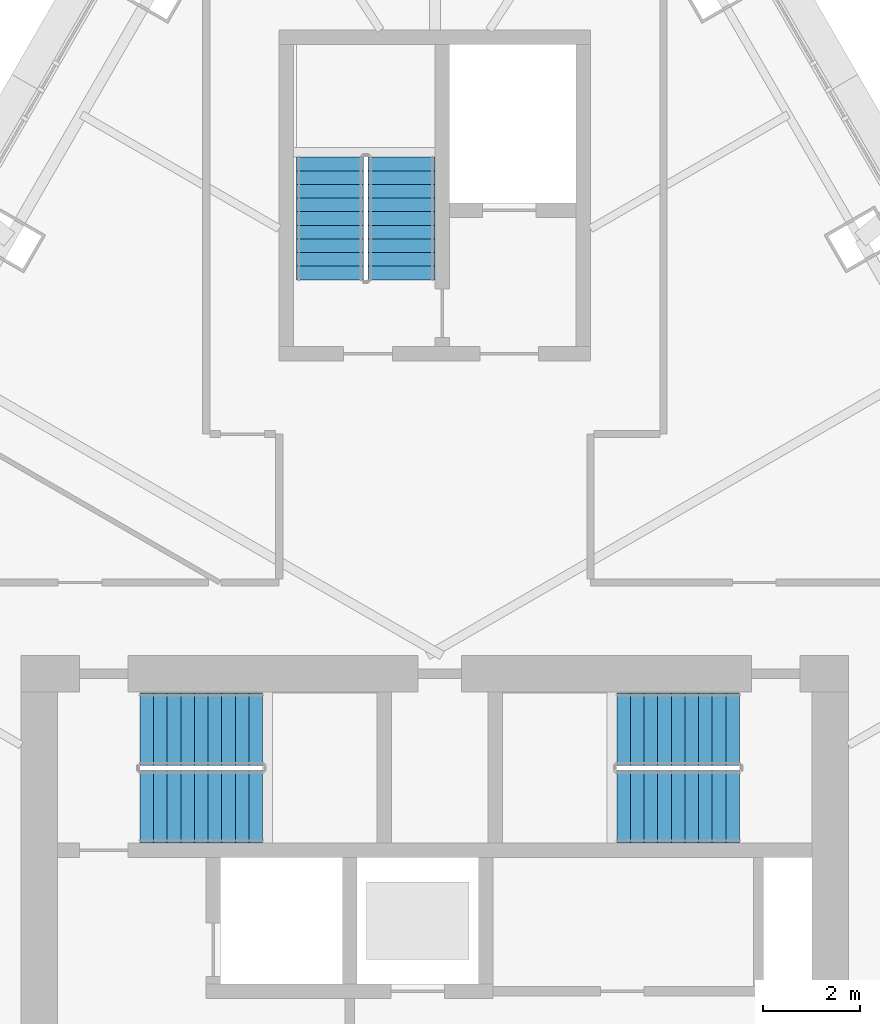
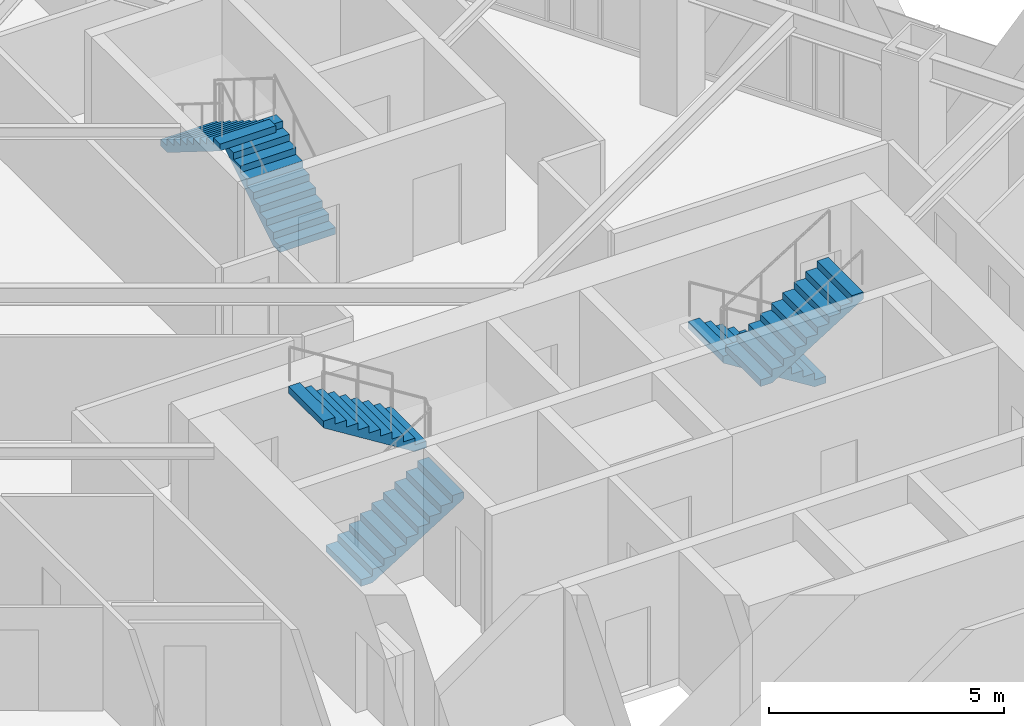
# One storey, part 21 of 23: 6 stair flights, 3 elements without a shape of their own.
"""IFC4 building model written with IfcOpenShell, lengths in metres."""

from ifc_helpers import new_model, si_unit, direction, frame, origin, place, context, subcontext, project, spatial, polyline, outline, extrude, material, type_object, element, aggregate, save


model = new_model("IFC4")

# Units and contexts
model_context = context("Model", 3, precision=1e-05, world=origin(), true_north=direction((0.0, 1.0)))
body_context = subcontext(model_context, "Body", "Model", "MODEL_VIEW")
ifc_project = project(units=[si_unit("LENGTHUNIT", "METRE"), si_unit("AREAUNIT", "SQUARE_METRE"), si_unit("VOLUMEUNIT", "CUBIC_METRE"), si_unit("PLANEANGLEUNIT", "RADIAN"), si_unit("MASSUNIT", "GRAM", prefix="KILO")], contexts=[model_context])

# Site, building, storey
site_placement = place(None, origin())
site = spatial("IfcSite", under=ifc_project, at=site_placement, CompositionType="ELEMENT")
building_placement = place(site_placement, origin())
building = spatial("IfcBuilding", under=site, at=building_placement, Name="Firuza Gate Tower and Library", CompositionType="ELEMENT")
storey_placement = place(building_placement, frame((0.0, 0.0, 312.60009765625)))
storey = spatial("IfcBuildingStorey", under=building, at=storey_placement, Name="L76", CompositionType="ELEMENT", Elevation=312.60009765625)

# Stair, stair flights
ifc_material_1 = material(Name="Concrete C35/45", Category="concrete")
stair_type_1 = type_object("IfcStairType", Name="Exit stair ST17", PredefinedType="HALF_TURN_STAIR", material=ifc_material_1)
placement = place(storey_placement, origin())
stair_1 = element("IfcStair", 1, at=placement, inside=storey, type_object=stair_type_1, Name="L76 Stair ST3", PredefinedType="HALF_TURN_STAIR")
ifc_material_2 = material(Name="Concrete C35/45", Category="concrete")
stair_flight_type_1 = type_object("IfcStairFlightType", Name="Stair flight 10 risers 175 width 1370", PredefinedType="STRAIGHT", material=ifc_material_2)
stair_flight_1_placement = place(storey_placement, frame((74.31494140625, 89.469970703125, 0.0), z_axis=(0.0, 0.0, 1.0), x_axis=(0.0, 1.0, 0.0)))
stair_flight_1 = element("IfcStairFlight", 2, at=stair_flight_1_placement, type_object=stair_flight_type_1, Name="ST3 flight 1", NumberOfRisers=10, NumberOfTreads=9, PredefinedType="STRAIGHT", RiserHeight=0.175, TreadLength=0.28, context=body_context, shape_type="SweptSolid", body=[
    extrude(outline(polyline([(0.0, 0.0), (0.0, 0.175048828125), (0.280029296875, 0.175048828125), (0.280029296875, 0.35009765625), (0.56005859375, 0.35009765625), (0.56005859375, 0.52490234375), (0.840087890625, 0.52490234375), (0.840087890625, 0.699951171875), (1.1201171875, 0.699951171875), (1.1201171875, 0.875), (1.39990234375, 0.875), (1.39990234375, 1.050048828125), (1.679931640625, 1.050048828125), (1.679931640625, 1.22509765625), (1.9599609375, 1.22509765625), (1.9599609375, 1.39990234375), (2.239990234375, 1.39990234375), (2.239990234375, 1.574951171875), (2.52001953125, 1.574951171875), (2.52001953125, 1.75), (2.52001953125, 1.398193359375), (0.28271484375, 0.0), (0.0, 0.0)])), frame((0.0, 0.68505859375, 0.0), z_axis=(0.0, -1.0, 0.0), x_axis=(1.0, 0.0, 0.0)), (0.0, 0.0, 1.0), 1.3701171875),
])
stair_flight_2_placement = place(storey_placement, frame((72.844970703125, 91.989990234375, 1.75), z_axis=(0.0, 0.0, 1.0), x_axis=(0.0, -1.0, 0.0)))
stair_flight_2 = element("IfcStairFlight", 3, at=stair_flight_2_placement, type_object=stair_flight_type_1, Name="ST3 flight 2", NumberOfRisers=10, NumberOfTreads=9, PredefinedType="STRAIGHT", RiserHeight=0.175, TreadLength=0.28, context=body_context, shape_type="SweptSolid", body=[
    extrude(outline(polyline([(0.0, 0.0), (0.0, 0.175048828125), (0.280029296875, 0.175048828125), (0.280029296875, 0.35009765625), (0.56005859375, 0.35009765625), (0.56005859375, 0.52490234375), (0.840087890625, 0.52490234375), (0.840087890625, 0.699951171875), (1.1201171875, 0.699951171875), (1.1201171875, 0.875), (1.39990234375, 0.875), (1.39990234375, 1.050048828125), (1.679931640625, 1.050048828125), (1.679931640625, 1.22509765625), (1.9599609375, 1.22509765625), (1.9599609375, 1.39990234375), (2.239990234375, 1.39990234375), (2.239990234375, 1.574951171875), (2.52001953125, 1.574951171875), (2.52001953125, 1.75), (2.52001953125, 1.398193359375), (0.28271484375, 0.0), (0.0, 0.0)])), frame((0.0, 0.68505859375, 0.0), z_axis=(0.0, -1.0, 0.0), x_axis=(1.0, 0.0, 0.0)), (0.0, 0.0, 1.0), 1.3701171875),
])
aggregate(stair_1, [stair_flight_1, stair_flight_2])

ifc_material_3 = material(Name="Concrete C35/45", Category="concrete")
stair_type_2 = type_object("IfcStairType", Name="Exit stair ST8", PredefinedType="HALF_TURN_STAIR", material=ifc_material_3)
stair_2 = element("IfcStair", 4, at=placement, inside=storey, type_object=stair_type_2, Name="L76 Stair ST1", PredefinedType="HALF_TURN_STAIR")
ifc_material_4 = material(Name="Concrete C35/45", Category="concrete")
stair_flight_type_2 = type_object("IfcStairFlightType", Name="Stair flight 10 risers 175 width 1490", PredefinedType="STRAIGHT", material=ifc_material_4)
stair_flight_3_placement = place(storey_placement, frame((68.93994140625, 78.64501953125, 0.0), z_axis=(0.0, 0.0, 1.0), x_axis=(1.0, 0.0, 0.0)))
stair_flight_3 = element("IfcStairFlight", 5, at=stair_flight_3_placement, type_object=stair_flight_type_2, Name="ST1 flight 1", NumberOfRisers=10, NumberOfTreads=9, PredefinedType="STRAIGHT", RiserHeight=0.175, TreadLength=0.28, context=body_context, shape_type="SweptSolid", body=[
    extrude(outline(polyline([(0.0, 0.0), (0.0, 0.175048828125), (0.280029296875, 0.175048828125), (0.280029296875, 0.35009765625), (0.56005859375, 0.35009765625), (0.56005859375, 0.52490234375), (0.840087890625, 0.52490234375), (0.840087890625, 0.699951171875), (1.1201171875, 0.699951171875), (1.1201171875, 0.875), (1.39990234375, 0.875), (1.39990234375, 1.050048828125), (1.679931640625, 1.050048828125), (1.679931640625, 1.22509765625), (1.9599609375, 1.22509765625), (1.9599609375, 1.39990234375), (2.239990234375, 1.39990234375), (2.239990234375, 1.574951171875), (2.52001953125, 1.574951171875), (2.52001953125, 1.75), (2.52001953125, 1.398193359375), (0.28271484375, 0.0), (0.0, 0.0)])), frame((0.0, 0.7451171875, 0.0), z_axis=(0.0, -1.0, 0.0), x_axis=(1.0, 0.0, 0.0)), (0.0, 0.0, 1.0), 1.489990234375),
])
stair_flight_4_placement = place(storey_placement, frame((71.4599609375, 80.235107421875, 1.75), z_axis=(0.0, 0.0, 1.0), x_axis=(-1.0, 0.0, 0.0)))
stair_flight_4 = element("IfcStairFlight", 6, at=stair_flight_4_placement, type_object=stair_flight_type_2, Name="ST1 flight 2", NumberOfRisers=10, NumberOfTreads=9, PredefinedType="STRAIGHT", RiserHeight=0.175, TreadLength=0.28, context=body_context, shape_type="SweptSolid", body=[
    extrude(outline(polyline([(0.0, 0.0), (0.0, 0.175048828125), (0.280029296875, 0.175048828125), (0.280029296875, 0.35009765625), (0.56005859375, 0.35009765625), (0.56005859375, 0.52490234375), (0.840087890625, 0.52490234375), (0.840087890625, 0.699951171875), (1.1201171875, 0.699951171875), (1.1201171875, 0.875), (1.39990234375, 0.875), (1.39990234375, 1.050048828125), (1.679931640625, 1.050048828125), (1.679931640625, 1.22509765625), (1.9599609375, 1.22509765625), (1.9599609375, 1.39990234375), (2.239990234375, 1.39990234375), (2.239990234375, 1.574951171875), (2.52001953125, 1.574951171875), (2.52001953125, 1.75), (2.52001953125, 1.398193359375), (0.28271484375, 0.0), (0.0, 0.0)])), frame((0.0, 0.7451171875, 0.0), z_axis=(0.0, -1.0, 0.0), x_axis=(1.0, 0.0, 0.0)), (0.0, 0.0, 1.0), 1.489990234375),
])
aggregate(stair_2, [stair_flight_3, stair_flight_4])

stair_3 = element("IfcStair", 7, at=placement, inside=storey, type_object=stair_type_2, Name="L76 Stair ST2", PredefinedType="HALF_TURN_STAIR")
stair_flight_5_placement = place(storey_placement, frame((81.260009765625, 80.235107421875, 0.0), z_axis=(0.0, 0.0, 1.0), x_axis=(-1.0, 0.0, 0.0)))
stair_flight_5 = element("IfcStairFlight", 8, at=stair_flight_5_placement, type_object=stair_flight_type_2, Name="ST2 flight 1", NumberOfRisers=10, NumberOfTreads=9, PredefinedType="STRAIGHT", RiserHeight=0.175, TreadLength=0.28, context=body_context, shape_type="SweptSolid", body=[
    extrude(outline(polyline([(0.0, 0.0), (0.0, 0.175048828125), (0.280029296875, 0.175048828125), (0.280029296875, 0.35009765625), (0.56005859375, 0.35009765625), (0.56005859375, 0.52490234375), (0.840087890625, 0.52490234375), (0.840087890625, 0.699951171875), (1.1201171875, 0.699951171875), (1.1201171875, 0.875), (1.39990234375, 0.875), (1.39990234375, 1.050048828125), (1.679931640625, 1.050048828125), (1.679931640625, 1.22509765625), (1.9599609375, 1.22509765625), (1.9599609375, 1.39990234375), (2.239990234375, 1.39990234375), (2.239990234375, 1.574951171875), (2.52001953125, 1.574951171875), (2.52001953125, 1.75), (2.52001953125, 1.398193359375), (0.28271484375, 0.0), (0.0, 0.0)])), frame((0.0, 0.7451171875, 0.0), z_axis=(0.0, -1.0, 0.0), x_axis=(1.0, 0.0, 0.0)), (0.0, 0.0, 1.0), 1.489990234375),
])
stair_flight_6_placement = place(storey_placement, frame((78.739990234375, 78.64501953125, 1.75), z_axis=(0.0, 0.0, 1.0), x_axis=(1.0, 0.0, 0.0)))
stair_flight_6 = element("IfcStairFlight", 9, at=stair_flight_6_placement, type_object=stair_flight_type_2, Name="ST2 flight 2", NumberOfRisers=10, NumberOfTreads=9, PredefinedType="STRAIGHT", RiserHeight=0.175, TreadLength=0.28, context=body_context, shape_type="SweptSolid", body=[
    extrude(outline(polyline([(0.0, 0.0), (0.0, 0.175048828125), (0.280029296875, 0.175048828125), (0.280029296875, 0.35009765625), (0.56005859375, 0.35009765625), (0.56005859375, 0.52490234375), (0.840087890625, 0.52490234375), (0.840087890625, 0.699951171875), (1.1201171875, 0.699951171875), (1.1201171875, 0.875), (1.39990234375, 0.875), (1.39990234375, 1.050048828125), (1.679931640625, 1.050048828125), (1.679931640625, 1.22509765625), (1.9599609375, 1.22509765625), (1.9599609375, 1.39990234375), (2.239990234375, 1.39990234375), (2.239990234375, 1.574951171875), (2.52001953125, 1.574951171875), (2.52001953125, 1.75), (2.52001953125, 1.398193359375), (0.28271484375, 0.0), (0.0, 0.0)])), frame((0.0, 0.7451171875, 0.0), z_axis=(0.0, -1.0, 0.0), x_axis=(1.0, 0.0, 0.0)), (0.0, 0.0, 1.0), 1.489990234375),
])
aggregate(stair_3, [stair_flight_5, stair_flight_6])

save(model, "model.ifc")
